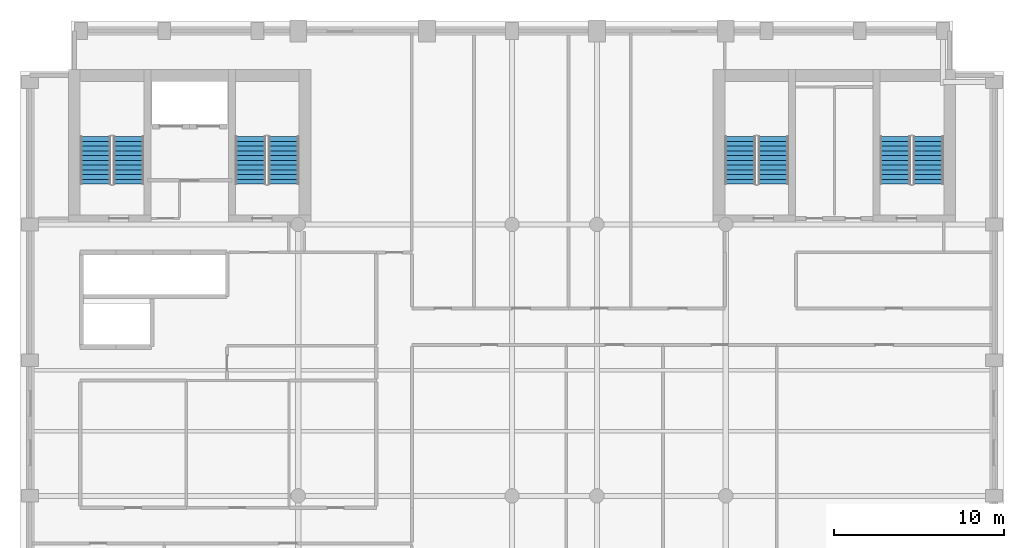
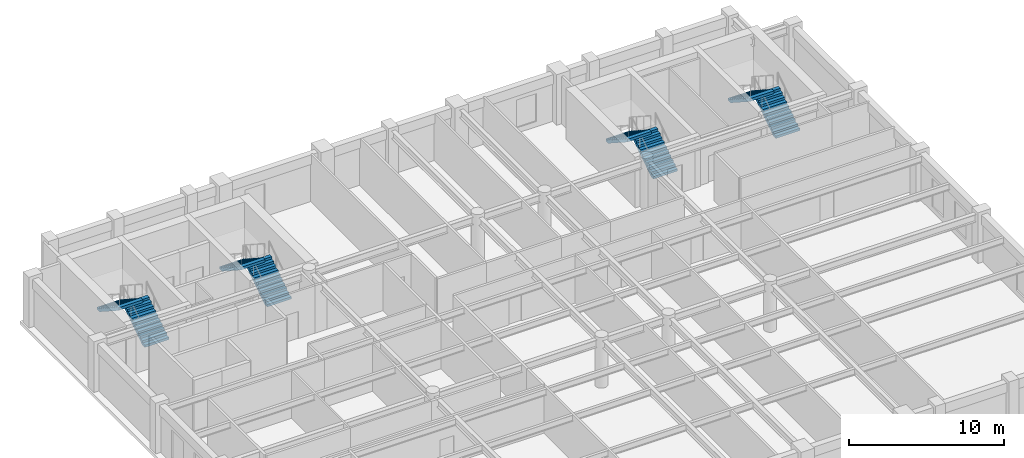
# One storey, part 6 of 8: 8 stair flights, 4 elements without a shape of their own.
"""IFC4 building model written with IfcOpenShell, lengths in metres."""

from ifc_helpers import new_model, si_unit, direction, frame, origin, place, context, subcontext, project, spatial, polyline, outline, extrude, material, type_object, element, aggregate, save


model = new_model("IFC4")

# Units and contexts
model_context = context("Model", 3, precision=1e-05, world=origin(), true_north=direction((0.0, 1.0)))
body_context = subcontext(model_context, "Body", "Model", "MODEL_VIEW")
ifc_project = project(units=[si_unit("LENGTHUNIT", "METRE"), si_unit("AREAUNIT", "SQUARE_METRE"), si_unit("VOLUMEUNIT", "CUBIC_METRE"), si_unit("PLANEANGLEUNIT", "RADIAN"), si_unit("MASSUNIT", "GRAM", prefix="KILO")], contexts=[model_context])

# Site, building, storey
site_placement = place(None, origin())
site = spatial("IfcSite", under=ifc_project, at=site_placement, CompositionType="ELEMENT")
building_placement = place(site_placement, origin())
building = spatial("IfcBuilding", under=site, at=building_placement, Name="Sulina Concourse Tower", CompositionType="ELEMENT")
storey_placement = place(building_placement, frame((0.0, 0.0, 226.60009765625)))
storey = spatial("IfcBuildingStorey", under=building, at=storey_placement, Name="L55", CompositionType="ELEMENT", Elevation=226.60009765625)

# Stair, stair flights
ifc_material_1 = material(Name="Concrete C50/60", Category="concrete")
stair_type_1 = type_object("IfcStairType", Name="Portal & Podium Core Exit Stair 1820mm", PredefinedType="HALF_TURN_STAIR", material=ifc_material_1)
stair_1_placement = place(storey_placement, origin())
stair_1 = element("IfcStair", 1, at=stair_1_placement, inside=storey, type_object=stair_type_1, Name="L55 ST-3", PredefinedType="HALF_TURN_STAIR")
ifc_material_2 = material(Name="Concrete C50/60", Category="concrete")
stair_flight_type_1 = type_object("IfcStairFlightType", Name="Portal & Podium Core Exit Stair 1820mm Flight", PredefinedType="STRAIGHT", material=ifc_material_2)
stair_flight_1_placement = place(storey_placement, frame((44.405029296875, 36.375, 0.0), z_axis=(0.0, 0.0, 1.0), x_axis=(0.0, 1.0, 0.0)))
stair_flight_1 = element("IfcStairFlight", 2, at=stair_flight_1_placement, type_object=stair_flight_type_1, Name="ST-3 flight 1", NumberOfRisers=11, NumberOfTreads=10, PredefinedType="STRAIGHT", RiserHeight=0.181818182, TreadLength=0.28, context=body_context, shape_type="SweptSolid", body=[
    extrude(outline(polyline([(0.0, 0.0), (0.0, 0.181884765625), (0.280029296875, 0.181884765625), (0.280029296875, 0.363525390625), (0.56005859375, 0.363525390625), (0.56005859375, 0.54541015625), (0.840087890625, 0.54541015625), (0.840087890625, 0.727294921875), (1.1201171875, 0.727294921875), (1.1201171875, 0.9091796875), (1.39990234375, 0.9091796875), (1.39990234375, 1.0908203125), (1.679931640625, 1.0908203125), (1.679931640625, 1.272705078125), (1.9599609375, 1.272705078125), (1.9599609375, 1.45458984375), (2.239990234375, 1.45458984375), (2.239990234375, 1.636474609375), (2.52001953125, 1.636474609375), (2.52001953125, 1.818115234375), (2.800048828125, 1.818115234375), (2.800048828125, 2.0), (2.800048828125, 1.603759765625), (0.330322265625, 0.0), (0.0, 0.0)])), frame((0.0, 0.89990234375, 0.0), z_axis=(0.0, -1.0, 0.0), x_axis=(1.0, 0.0, 0.0)), (0.0, 0.0, 1.0), 1.800048828125),
])
stair_flight_2_placement = place(storey_placement, frame((42.455078125, 39.175048828125, 2.0), z_axis=(0.0, 0.0, 1.0), x_axis=(0.0, -1.0, 0.0)))
stair_flight_2 = element("IfcStairFlight", 3, at=stair_flight_2_placement, type_object=stair_flight_type_1, Name="ST-3 flight 2", NumberOfRisers=11, NumberOfTreads=10, PredefinedType="STRAIGHT", RiserHeight=0.181818182, TreadLength=0.28, context=body_context, shape_type="SweptSolid", body=[
    extrude(outline(polyline([(0.0, 0.0), (0.0, 0.181884765625), (0.280029296875, 0.181884765625), (0.280029296875, 0.363525390625), (0.56005859375, 0.363525390625), (0.56005859375, 0.54541015625), (0.840087890625, 0.54541015625), (0.840087890625, 0.727294921875), (1.1201171875, 0.727294921875), (1.1201171875, 0.9091796875), (1.39990234375, 0.9091796875), (1.39990234375, 1.0908203125), (1.679931640625, 1.0908203125), (1.679931640625, 1.272705078125), (1.9599609375, 1.272705078125), (1.9599609375, 1.45458984375), (2.239990234375, 1.45458984375), (2.239990234375, 1.636474609375), (2.52001953125, 1.636474609375), (2.52001953125, 1.818115234375), (2.800048828125, 1.818115234375), (2.800048828125, 2.0), (2.800048828125, 1.603759765625), (0.330322265625, 0.0), (0.0, 0.0)])), frame((0.0, 0.89990234375, 0.0), z_axis=(0.0, -1.0, 0.0), x_axis=(1.0, 0.0, 0.0)), (0.0, 0.0, 1.0), 1.800048828125),
])
aggregate(stair_1, [stair_flight_1, stair_flight_2])

stair_2_placement = place(storey_placement, origin())
stair_2 = element("IfcStair", 4, at=stair_2_placement, inside=storey, type_object=stair_type_1, Name="L55 ST-4", PredefinedType="HALF_TURN_STAIR")
stair_flight_3_placement = place(storey_placement, frame((53.544921875, 36.375, 0.0), z_axis=(0.0, 0.0, 1.0), x_axis=(0.0, 1.0, 0.0)))
stair_flight_3 = element("IfcStairFlight", 5, at=stair_flight_3_placement, type_object=stair_flight_type_1, Name="ST-4 flight 1", NumberOfRisers=11, NumberOfTreads=10, PredefinedType="STRAIGHT", RiserHeight=0.181818182, TreadLength=0.28, context=body_context, shape_type="SweptSolid", body=[
    extrude(outline(polyline([(0.0, 0.0), (0.0, 0.181884765625), (0.280029296875, 0.181884765625), (0.280029296875, 0.363525390625), (0.56005859375, 0.363525390625), (0.56005859375, 0.54541015625), (0.840087890625, 0.54541015625), (0.840087890625, 0.727294921875), (1.1201171875, 0.727294921875), (1.1201171875, 0.9091796875), (1.39990234375, 0.9091796875), (1.39990234375, 1.0908203125), (1.679931640625, 1.0908203125), (1.679931640625, 1.272705078125), (1.9599609375, 1.272705078125), (1.9599609375, 1.45458984375), (2.239990234375, 1.45458984375), (2.239990234375, 1.636474609375), (2.52001953125, 1.636474609375), (2.52001953125, 1.818115234375), (2.800048828125, 1.818115234375), (2.800048828125, 2.0), (2.800048828125, 1.603759765625), (0.330322265625, 0.0), (0.0, 0.0)])), frame((0.0, 0.89990234375, 0.0), z_axis=(0.0, -1.0, 0.0), x_axis=(1.0, 0.0, 0.0)), (0.0, 0.0, 1.0), 1.800048828125),
])
stair_flight_4_placement = place(storey_placement, frame((51.594970703125, 39.175048828125, 2.0), z_axis=(0.0, 0.0, 1.0), x_axis=(0.0, -1.0, 0.0)))
stair_flight_4 = element("IfcStairFlight", 6, at=stair_flight_4_placement, type_object=stair_flight_type_1, Name="ST-4 flight 2", NumberOfRisers=11, NumberOfTreads=10, PredefinedType="STRAIGHT", RiserHeight=0.181818182, TreadLength=0.28, context=body_context, shape_type="SweptSolid", body=[
    extrude(outline(polyline([(0.0, 0.0), (0.0, 0.181884765625), (0.280029296875, 0.181884765625), (0.280029296875, 0.363525390625), (0.56005859375, 0.363525390625), (0.56005859375, 0.54541015625), (0.840087890625, 0.54541015625), (0.840087890625, 0.727294921875), (1.1201171875, 0.727294921875), (1.1201171875, 0.9091796875), (1.39990234375, 0.9091796875), (1.39990234375, 1.0908203125), (1.679931640625, 1.0908203125), (1.679931640625, 1.272705078125), (1.9599609375, 1.272705078125), (1.9599609375, 1.45458984375), (2.239990234375, 1.45458984375), (2.239990234375, 1.636474609375), (2.52001953125, 1.636474609375), (2.52001953125, 1.818115234375), (2.800048828125, 1.818115234375), (2.800048828125, 2.0), (2.800048828125, 1.603759765625), (0.330322265625, 0.0), (0.0, 0.0)])), frame((0.0, 0.89990234375, 0.0), z_axis=(0.0, -1.0, 0.0), x_axis=(1.0, 0.0, 0.0)), (0.0, 0.0, 1.0), 1.800048828125),
])
aggregate(stair_2, [stair_flight_3, stair_flight_4])

ifc_material_3 = material(Name="Concrete C50/60", Category="concrete")
stair_type_2 = type_object("IfcStairType", Name="Primary Core Dog-Leg Exit Stair 1800mm", PredefinedType="HALF_TURN_STAIR", material=ifc_material_3)
stair_3_placement = place(storey_placement, origin())
stair_3 = element("IfcStair", 7, at=stair_3_placement, inside=storey, type_object=stair_type_2, Name="L55 ST-1", PredefinedType="HALF_TURN_STAIR")
ifc_material_4 = material(Name="Concrete C50/60", Category="concrete")
stair_flight_type_2 = type_object("IfcStairFlightType", Name="Primary Core Dog-Leg Exit Stair 1800mm Flight", PredefinedType="STRAIGHT", material=ifc_material_4)
stair_flight_5_placement = place(storey_placement, frame((6.405029296875, 36.375, 0.0), z_axis=(0.0, 0.0, 1.0), x_axis=(0.0, 1.0, 0.0)))
stair_flight_5 = element("IfcStairFlight", 8, at=stair_flight_5_placement, type_object=stair_flight_type_2, Name="ST-1 flight 1", NumberOfRisers=11, NumberOfTreads=10, PredefinedType="STRAIGHT", RiserHeight=0.181818182, TreadLength=0.28, context=body_context, shape_type="SweptSolid", body=[
    extrude(outline(polyline([(0.0, 0.0), (0.0, 0.181884765625), (0.280029296875, 0.181884765625), (0.280029296875, 0.363525390625), (0.56005859375, 0.363525390625), (0.56005859375, 0.54541015625), (0.840087890625, 0.54541015625), (0.840087890625, 0.727294921875), (1.1201171875, 0.727294921875), (1.1201171875, 0.9091796875), (1.39990234375, 0.9091796875), (1.39990234375, 1.0908203125), (1.679931640625, 1.0908203125), (1.679931640625, 1.272705078125), (1.9599609375, 1.272705078125), (1.9599609375, 1.45458984375), (2.239990234375, 1.45458984375), (2.239990234375, 1.636474609375), (2.52001953125, 1.636474609375), (2.52001953125, 1.818115234375), (2.800048828125, 1.818115234375), (2.800048828125, 2.0), (2.800048828125, 1.603759765625), (0.330322265625, 0.0), (0.0, 0.0)])), frame((0.0, 0.89990234375, 0.0), z_axis=(0.0, -1.0, 0.0), x_axis=(1.0, 0.0, 0.0)), (0.0, 0.0, 1.0), 1.800048828125),
])
stair_flight_6_placement = place(storey_placement, frame((4.455078125, 39.175048828125, 2.0), z_axis=(0.0, 0.0, 1.0), x_axis=(0.0, -1.0, 0.0)))
stair_flight_6 = element("IfcStairFlight", 9, at=stair_flight_6_placement, type_object=stair_flight_type_2, Name="ST-1 flight 2", NumberOfRisers=11, NumberOfTreads=10, PredefinedType="STRAIGHT", RiserHeight=0.181818182, TreadLength=0.28, context=body_context, shape_type="SweptSolid", body=[
    extrude(outline(polyline([(0.0, 0.0), (0.0, 0.181884765625), (0.280029296875, 0.181884765625), (0.280029296875, 0.363525390625), (0.56005859375, 0.363525390625), (0.56005859375, 0.54541015625), (0.840087890625, 0.54541015625), (0.840087890625, 0.727294921875), (1.1201171875, 0.727294921875), (1.1201171875, 0.9091796875), (1.39990234375, 0.9091796875), (1.39990234375, 1.0908203125), (1.679931640625, 1.0908203125), (1.679931640625, 1.272705078125), (1.9599609375, 1.272705078125), (1.9599609375, 1.45458984375), (2.239990234375, 1.45458984375), (2.239990234375, 1.636474609375), (2.52001953125, 1.636474609375), (2.52001953125, 1.818115234375), (2.800048828125, 1.818115234375), (2.800048828125, 2.0), (2.800048828125, 1.603759765625), (0.330322265625, 0.0), (0.0, 0.0)])), frame((0.0, 0.89990234375, 0.0), z_axis=(0.0, -1.0, 0.0), x_axis=(1.0, 0.0, 0.0)), (0.0, 0.0, 1.0), 1.800048828125),
])
aggregate(stair_3, [stair_flight_5, stair_flight_6])

stair_4_placement = place(storey_placement, origin())
stair_4 = element("IfcStair", 10, at=stair_4_placement, inside=storey, type_object=stair_type_2, Name="L55 ST-2", PredefinedType="HALF_TURN_STAIR")
stair_flight_7_placement = place(storey_placement, frame((15.544921875, 36.375, 0.0), z_axis=(0.0, 0.0, 1.0), x_axis=(0.0, 1.0, 0.0)))
stair_flight_7 = element("IfcStairFlight", 11, at=stair_flight_7_placement, type_object=stair_flight_type_2, Name="ST-2 flight 1", NumberOfRisers=11, NumberOfTreads=10, PredefinedType="STRAIGHT", RiserHeight=0.181818182, TreadLength=0.28, context=body_context, shape_type="SweptSolid", body=[
    extrude(outline(polyline([(0.0, 0.0), (0.0, 0.181884765625), (0.280029296875, 0.181884765625), (0.280029296875, 0.363525390625), (0.56005859375, 0.363525390625), (0.56005859375, 0.54541015625), (0.840087890625, 0.54541015625), (0.840087890625, 0.727294921875), (1.1201171875, 0.727294921875), (1.1201171875, 0.9091796875), (1.39990234375, 0.9091796875), (1.39990234375, 1.0908203125), (1.679931640625, 1.0908203125), (1.679931640625, 1.272705078125), (1.9599609375, 1.272705078125), (1.9599609375, 1.45458984375), (2.239990234375, 1.45458984375), (2.239990234375, 1.636474609375), (2.52001953125, 1.636474609375), (2.52001953125, 1.818115234375), (2.800048828125, 1.818115234375), (2.800048828125, 2.0), (2.800048828125, 1.603759765625), (0.330322265625, 0.0), (0.0, 0.0)])), frame((0.0, 0.89990234375, 0.0), z_axis=(0.0, -1.0, 0.0), x_axis=(1.0, 0.0, 0.0)), (0.0, 0.0, 1.0), 1.800048828125),
])
stair_flight_8_placement = place(storey_placement, frame((13.594970703125, 39.175048828125, 2.0), z_axis=(0.0, 0.0, 1.0), x_axis=(0.0, -1.0, 0.0)))
stair_flight_8 = element("IfcStairFlight", 12, at=stair_flight_8_placement, type_object=stair_flight_type_2, Name="ST-2 flight 2", NumberOfRisers=11, NumberOfTreads=10, PredefinedType="STRAIGHT", RiserHeight=0.181818182, TreadLength=0.28, context=body_context, shape_type="SweptSolid", body=[
    extrude(outline(polyline([(0.0, 0.0), (0.0, 0.181884765625), (0.280029296875, 0.181884765625), (0.280029296875, 0.363525390625), (0.56005859375, 0.363525390625), (0.56005859375, 0.54541015625), (0.840087890625, 0.54541015625), (0.840087890625, 0.727294921875), (1.1201171875, 0.727294921875), (1.1201171875, 0.9091796875), (1.39990234375, 0.9091796875), (1.39990234375, 1.0908203125), (1.679931640625, 1.0908203125), (1.679931640625, 1.272705078125), (1.9599609375, 1.272705078125), (1.9599609375, 1.45458984375), (2.239990234375, 1.45458984375), (2.239990234375, 1.636474609375), (2.52001953125, 1.636474609375), (2.52001953125, 1.818115234375), (2.800048828125, 1.818115234375), (2.800048828125, 2.0), (2.800048828125, 1.603759765625), (0.330322265625, 0.0), (0.0, 0.0)])), frame((0.0, 0.89990234375, 0.0), z_axis=(0.0, -1.0, 0.0), x_axis=(1.0, 0.0, 0.0)), (0.0, 0.0, 1.0), 1.800048828125),
])
aggregate(stair_4, [stair_flight_7, stair_flight_8])

save(model, "model.ifc")
